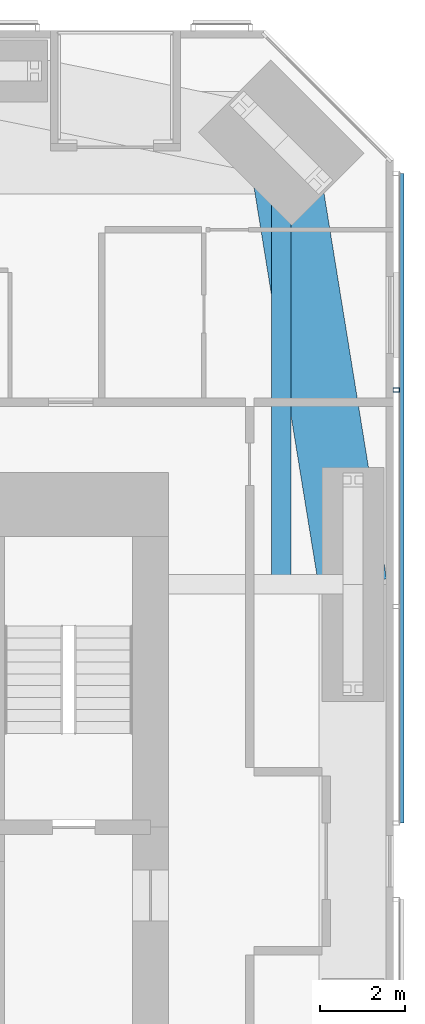
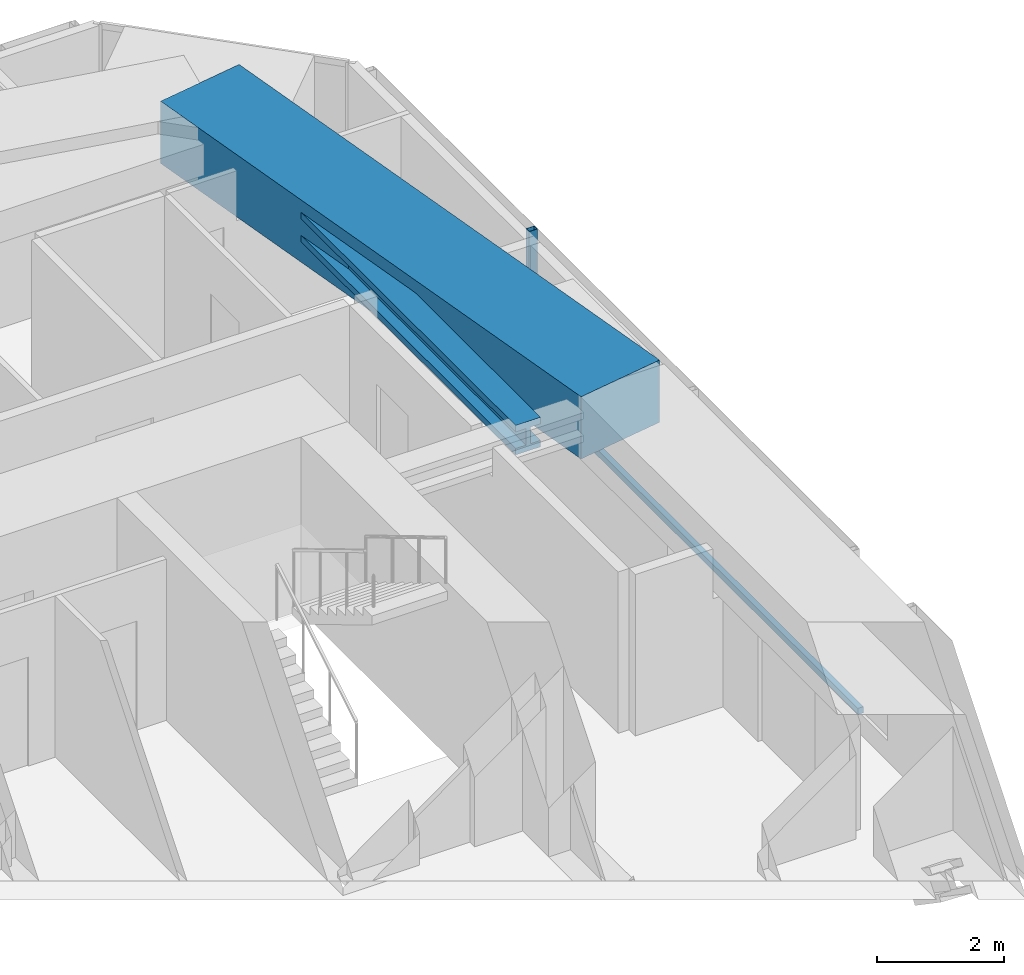
# One storey, part 11 of 25: 2 beams, 2 members, 1 element without a shape of its own.
"""IFC4 building model written with IfcOpenShell, lengths in metres."""

from ifc_helpers import new_model, si_unit, direction, frame, origin, origin_2d, place, context, subcontext, project, spatial, rectangle, hollow_rectangle, i_section, extrude, material, material_profile, profile_set, type_object, element, aggregate, save


model = new_model("IFC4")

# Units and contexts
model_context = context("Model", 3, precision=1e-05, world=origin(), true_north=direction((0.0, 1.0)))
body_context = subcontext(model_context, "Body", "Model", "MODEL_VIEW")
ifc_project = project(units=[si_unit("LENGTHUNIT", "METRE"), si_unit("AREAUNIT", "SQUARE_METRE"), si_unit("VOLUMEUNIT", "CUBIC_METRE"), si_unit("PLANEANGLEUNIT", "RADIAN"), si_unit("MASSUNIT", "GRAM", prefix="KILO")], contexts=[model_context])

# Site, building, storey
site_placement = place(None, origin())
site = spatial("IfcSite", under=ifc_project, at=site_placement, CompositionType="ELEMENT")
building_placement = place(site_placement, origin())
building = spatial("IfcBuilding", under=site, at=building_placement, Name="Jalousie Tower", CompositionType="ELEMENT")
storey_placement = place(building_placement, frame((0.0, 0.0, 94.800048828125)))
storey = spatial("IfcBuildingStorey", under=building, at=storey_placement, Name="L25", CompositionType="ELEMENT", Elevation=94.800048828125)

# Beams
ifc_material_1 = material(Name="Steel ASTM A992 Grade 50", Category="steel")
ifc_material_profile_1 = material_profile(ifc_material_1, i_section(OverallWidth=0.45458984375, OverallDepth=0.569091796875, WebThickness=0.077880859375, FlangeThickness=0.124755859375, at=origin_2d()), Name="W14X730")
ifc_profile_set_1 = profile_set([ifc_material_profile_1], Name="Steel ASTM A992 Grade 50")
beam_type_1 = type_object("IfcBeamType", Name="LEAN COLLECTOR W14X730", PredefinedType="BEAM", material=ifc_profile_set_1)
beam_1_placement = place(storey_placement, frame((46.86865234375, 35.36865234375, 2.825439453125), z_axis=(0.0, -1.0, 0.0), x_axis=(1.0, 0.0, 0.0)))
element("IfcBeam", 1, at=beam_1_placement, inside=storey, type_object=beam_type_1, Name="Lean collector under L26", PredefinedType="BEAM", context=body_context, shape_type="SweptSolid", body=[
    extrude(i_section(OverallWidth=0.45458984375, OverallDepth=0.569091796875, WebThickness=0.077880859375, FlangeThickness=0.124755859375, at=origin_2d()), origin(), (0.0, 0.0, 1.0), 10.36865234375),
])
ifc_material_2 = material(Name="Concrete f'c 40 MPa", Category="concrete")
ifc_material_profile_2 = material_profile(ifc_material_2, rectangle(XDim=1.60009765625, YDim=1.199951171875, at=origin_2d()), Name="RC 1600x1200")
ifc_profile_set_2 = profile_set([ifc_material_profile_2], Name="Concrete f'c 40 MPa")
beam_type_2 = type_object("IfcBeamType", Name="RC BEAM 1600x1200", PredefinedType="BEAM", material=ifc_profile_set_2)
beam_2_placement = place(storey_placement, frame((48.550048828125, 25.0, 2.75), z_axis=(-0.160070546476, 0.987105577003, 0.0), x_axis=(-0.987105577003, -0.160070546476, 0.0)))
element("IfcBeam", 2, at=beam_2_placement, inside=storey, type_object=beam_type_2, Name="Edge band beam 07-08 under L26", PredefinedType="BEAM", context=body_context, shape_type="SweptSolid", body=[
    extrude(rectangle(XDim=1.60009765625, YDim=1.199951171875, at=origin_2d()), origin(), (0.0, 0.0, 1.0), 10.504150390625),
])

# Curtain wall, members
ifc_material_3 = material(Name="Perforated aluminium sheet", Category="aluminium")
curtain_wall_type = type_object("IfcCurtainWallType", Name="SOLAR SCREEN SS-1", PredefinedType="USERDEFINED", material=ifc_material_3)
curtain_wall_placement = place(storey_placement, origin())
curtain_wall = element("IfcCurtainWall", 3, at=curtain_wall_placement, inside=storey, type_object=curtain_wall_type, Name="Solar screen L25", ObjectType="SOLAR SCREEN SS-1", PredefinedType="USERDEFINED")
ifc_material_4 = material(Name="Steel ASTM A500 Grade C", Category="steel")
ifc_material_profile_3 = material_profile(ifc_material_4, hollow_rectangle(XDim=0.1015625, YDim=0.15234375, WallThickness=0.00634765625, at=origin_2d()), Name="HSS6X4X1/4")
ifc_profile_set_3 = profile_set([ifc_material_profile_3], Name="Steel ASTM A500 Grade C")
member_type_1 = type_object("IfcMemberType", Name="SOLAR SCREEN SS-1 MULLION", PredefinedType="MULLION", material=ifc_profile_set_3)
member_1_placement = place(storey_placement, frame((49.5712890625, 29.56591796875, -0.1201171875), z_axis=(0.0, 0.0, 1.0), x_axis=(0.0, 1.0, 0.0)))
member_1 = element("IfcMember", 4, at=member_1_placement, type_object=member_type_1, Name="SS1 post 3", PredefinedType="MULLION", context=body_context, shape_type="SweptSolid", body=[
    extrude(hollow_rectangle(XDim=0.1015625, YDim=0.15234375, WallThickness=0.00634765625, at=origin_2d()), origin(), (0.0, 0.0, 1.0), 3.22998046875),
])
ifc_material_5 = material(Name="Extruded aluminium screen rail", Category="aluminium")
ifc_material_profile_4 = material_profile(ifc_material_5, rectangle(XDim=0.1015625, YDim=0.1201171875, at=origin_2d()), Name="RAIL 102x120")
ifc_profile_set_4 = profile_set([ifc_material_profile_4], Name="Extruded aluminium screen rail")
member_type_2 = type_object("IfcMemberType", Name="SOLAR SCREEN SS-1 TRANSOM", PredefinedType="USERDEFINED", material=ifc_profile_set_4)
member_2_placement = place(storey_placement, frame((49.6982421875, 19.39990234375, -0.06005859375), z_axis=(0.0, 1.0, 0.0), x_axis=(-1.0, 0.0, 0.0)))
member_2 = element("IfcMember", 5, at=member_2_placement, type_object=member_type_2, Name="SS1 rail", ObjectType="TRANSOM", PredefinedType="USERDEFINED", context=body_context, shape_type="SweptSolid", body=[
    extrude(rectangle(XDim=0.1015625, YDim=0.1201171875, at=origin_2d()), origin(), (0.0, 0.0, 1.0), 15.248779296875),
])
aggregate(curtain_wall, [member_1, member_2])

save(model, "model.ifc")
